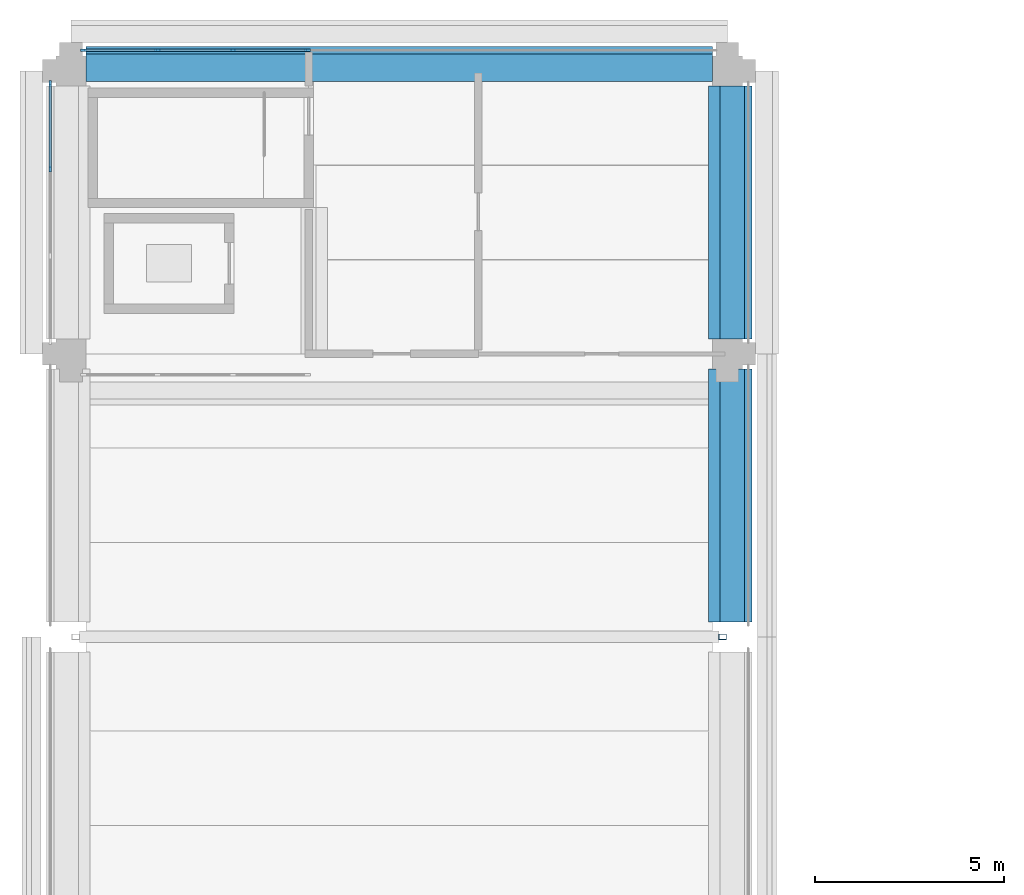
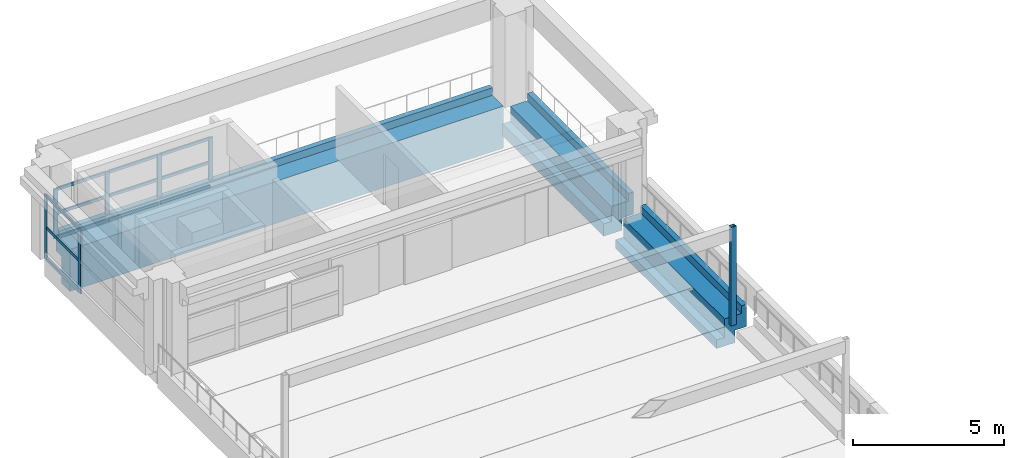
# One storey, part 22 of 62: 19 members, 3 beams, 2 elements without a shape of their own.
"""IFC4 building model written with IfcOpenShell, lengths in metres."""

from ifc_helpers import new_model, si_unit, direction, frame, origin, origin_2d, place, context, subcontext, project, spatial, polyline, rectangle, hollow_rectangle, outline, extrude, material, layer, layer_set, material_profile, profile_set, type_object, element, aggregate, save


model = new_model("IFC4")

# Units and contexts
model_context = context("Model", 3, precision=1e-05, world=origin(), true_north=direction((0.0, 1.0)))
body_context = subcontext(model_context, "Body", "Model", "MODEL_VIEW")
ifc_project = project(units=[si_unit("LENGTHUNIT", "METRE"), si_unit("AREAUNIT", "SQUARE_METRE"), si_unit("VOLUMEUNIT", "CUBIC_METRE"), si_unit("PLANEANGLEUNIT", "RADIAN"), si_unit("MASSUNIT", "GRAM", prefix="KILO")], contexts=[model_context])

# Site, building, storey
site_placement = place(None, origin())
site = spatial("IfcSite", under=ifc_project, at=site_placement, CompositionType="ELEMENT")
building_placement = place(site_placement, origin())
building = spatial("IfcBuilding", under=site, at=building_placement, Name="Cour d'Honneur Mobility Palace", CompositionType="ELEMENT")
storey_placement = place(building_placement, frame((0.0, 0.0, 19.300048828125)))
storey = spatial("IfcBuildingStorey", under=building, at=storey_placement, Name="L05", CompositionType="ELEMENT", Elevation=19.300048828125)

# Curtain wall, members
ifc_material_1 = material(Name="Aluminium and glass", Category="aluminium")
ifc_layer = layer(ifc_material_1, 0.10009765625)
ifc_layer_set = layer_set([ifc_layer], Name="Aluminium and glass")
curtain_wall_type = type_object("IfcCurtainWallType", Name="Curtain wall run", PredefinedType="NOTDEFINED", material=ifc_layer_set)
curtain_wall_1_placement = place(storey_placement, origin())
curtain_wall_1 = element("IfcCurtainWall", 1, at=curtain_wall_1_placement, inside=storey, type_object=curtain_wall_type, Name="Curtain wall CW-132", PredefinedType="NOTDEFINED")
ifc_material_2 = material(Name="Aluminium", Category="aluminium")
ifc_material_profile_1 = material_profile(ifc_material_2, rectangle(XDim=0.06005859375, YDim=0.159912109375, at=origin_2d()), Name="Curtain wall mullion")
ifc_profile_set_1 = profile_set([ifc_material_profile_1], Name="Aluminium")
member_type_1 = type_object("IfcMemberType", Name="Curtain wall mullion", PredefinedType="MULLION", material=ifc_profile_set_1)
member_1_placement = place(storey_placement, frame((6.27001953125, 115.449951171875, 0.0), z_axis=(0.0, 0.0, 1.0), x_axis=(0.0, -1.0, 0.0)))
member_1 = element("IfcMember", 2, at=member_1_placement, type_object=member_type_1, Name="CW-132 mullion 1", PredefinedType="MULLION", context=body_context, shape_type="SweptSolid", body=[
    extrude(rectangle(XDim=0.06005859375, YDim=0.159912109375, at=origin_2d()), origin(), (0.0, 0.0, 1.0), 2.0),
])
member_2_placement = place(storey_placement, frame((4.300048828125, 115.449951171875, 0.0), z_axis=(0.0, 0.0, 1.0), x_axis=(0.0, -1.0, 0.0)))
member_2 = element("IfcMember", 3, at=member_2_placement, type_object=member_type_1, Name="CW-132 mullion 2", PredefinedType="MULLION", context=body_context, shape_type="SweptSolid", body=[
    extrude(rectangle(XDim=0.06005859375, YDim=0.159912109375, at=origin_2d()), origin(), (0.0, 0.0, 1.0), 2.0),
])
member_3_placement = place(storey_placement, frame((2.300048828125, 115.449951171875, 0.0), z_axis=(0.0, 0.0, 1.0), x_axis=(0.0, -1.0, 0.0)))
member_3 = element("IfcMember", 4, at=member_3_placement, type_object=member_type_1, Name="CW-132 mullion 3", PredefinedType="MULLION", context=body_context, shape_type="SweptSolid", body=[
    extrude(rectangle(XDim=0.06005859375, YDim=0.159912109375, at=origin_2d()), origin(), (0.0, 0.0, 1.0), 2.0),
])
member_4_placement = place(storey_placement, frame((0.330078125, 115.449951171875, 0.0), z_axis=(0.0, 0.0, 1.0), x_axis=(0.0, -1.0, 0.0)))
member_4 = element("IfcMember", 5, at=member_4_placement, type_object=member_type_1, Name="CW-132 mullion 4", PredefinedType="MULLION", context=body_context, shape_type="SweptSolid", body=[
    extrude(rectangle(XDim=0.06005859375, YDim=0.159912109375, at=origin_2d()), origin(), (0.0, 0.0, 1.0), 2.0),
])

curtain_wall_2_placement = place(storey_placement, origin())
curtain_wall_2 = element("IfcCurtainWall", 6, at=curtain_wall_2_placement, inside=storey, type_object=curtain_wall_type, Name="Curtain wall CW-133", PredefinedType="NOTDEFINED")
member_5_placement = place(storey_placement, frame((-0.550048828125, 114.570068359375, 0.0), z_axis=(0.0, 0.0, 1.0), x_axis=(1.0, 0.0, 0.0)))
member_5 = element("IfcMember", 7, at=member_5_placement, type_object=member_type_1, Name="CW-133 mullion 1", PredefinedType="MULLION", context=body_context, shape_type="SweptSolid", body=[
    extrude(rectangle(XDim=0.06005859375, YDim=0.159912109375, at=origin_2d()), origin(), (0.0, 0.0, 1.0), 2.599853515625),
])
member_6_placement = place(storey_placement, frame((-0.550048828125, 112.300048828125, 0.0), z_axis=(0.0, 0.0, 1.0), x_axis=(1.0, 0.0, 0.0)))
member_6 = element("IfcMember", 8, at=member_6_placement, type_object=member_type_1, Name="CW-133 mullion 2", PredefinedType="MULLION", context=body_context, shape_type="SweptSolid", body=[
    extrude(rectangle(XDim=0.06005859375, YDim=0.159912109375, at=origin_2d()), origin(), (0.0, 0.0, 1.0), 2.599853515625),
])

# Member
ifc_material_3 = material(Name="Aluminium", Category="aluminium")
ifc_material_profile_2 = material_profile(ifc_material_3, rectangle(XDim=0.06005859375, YDim=0.1201171875, at=origin_2d()), Name="Curtain wall transom")
ifc_profile_set_2 = profile_set([ifc_material_profile_2], Name="Aluminium")
member_type_2 = type_object("IfcMemberType", Name="Curtain wall transom", PredefinedType="USERDEFINED", material=ifc_profile_set_2)
member_7_placement = place(storey_placement, frame((6.239990234375, 115.449951171875, 0.030029296875), z_axis=(-1.0, 0.0, 0.0), x_axis=(0.0, -1.0, 0.0)))
member_7 = element("IfcMember", 9, at=member_7_placement, type_object=member_type_2, Name="CW-132 transom 1.1", ObjectType="TRANSOM", PredefinedType="USERDEFINED", context=body_context, shape_type="SweptSolid", body=[
    extrude(rectangle(XDim=0.06005859375, YDim=0.1201171875, at=origin_2d()), origin(), (0.0, 0.0, 1.0), 1.909912109375),
])

member_8_placement = place(storey_placement, frame((6.239990234375, 115.449951171875, 1.0), z_axis=(-1.0, 0.0, 0.0), x_axis=(0.0, -1.0, 0.0)))
member_8 = element("IfcMember", 10, at=member_8_placement, type_object=member_type_2, Name="CW-132 transom 1.2", ObjectType="TRANSOM", PredefinedType="USERDEFINED", context=body_context, shape_type="SweptSolid", body=[
    extrude(rectangle(XDim=0.06005859375, YDim=0.1201171875, at=origin_2d()), origin(), (0.0, 0.0, 1.0), 1.909912109375),
])

member_9_placement = place(storey_placement, frame((6.239990234375, 115.449951171875, 1.969970703125), z_axis=(-1.0, 0.0, 0.0), x_axis=(0.0, -1.0, 0.0)))
member_9 = element("IfcMember", 11, at=member_9_placement, type_object=member_type_2, Name="CW-132 transom 1.3", ObjectType="TRANSOM", PredefinedType="USERDEFINED", context=body_context, shape_type="SweptSolid", body=[
    extrude(rectangle(XDim=0.06005859375, YDim=0.1201171875, at=origin_2d()), origin(), (0.0, 0.0, 1.0), 1.909912109375),
])

member_10_placement = place(storey_placement, frame((4.27001953125, 115.449951171875, 0.030029296875), z_axis=(-1.0, 0.0, 0.0), x_axis=(0.0, -1.0, 0.0)))
member_10 = element("IfcMember", 12, at=member_10_placement, type_object=member_type_2, Name="CW-132 transom 2.1", ObjectType="TRANSOM", PredefinedType="USERDEFINED", context=body_context, shape_type="SweptSolid", body=[
    extrude(rectangle(XDim=0.06005859375, YDim=0.1201171875, at=origin_2d()), origin(), (0.0, 0.0, 1.0), 1.93994140625),
])

member_11_placement = place(storey_placement, frame((4.27001953125, 115.449951171875, 1.0), z_axis=(-1.0, 0.0, 0.0), x_axis=(0.0, -1.0, 0.0)))
member_11 = element("IfcMember", 13, at=member_11_placement, type_object=member_type_2, Name="CW-132 transom 2.2", ObjectType="TRANSOM", PredefinedType="USERDEFINED", context=body_context, shape_type="SweptSolid", body=[
    extrude(rectangle(XDim=0.06005859375, YDim=0.1201171875, at=origin_2d()), origin(), (0.0, 0.0, 1.0), 1.93994140625),
])

member_12_placement = place(storey_placement, frame((4.27001953125, 115.449951171875, 1.969970703125), z_axis=(-1.0, 0.0, 0.0), x_axis=(0.0, -1.0, 0.0)))
member_12 = element("IfcMember", 14, at=member_12_placement, type_object=member_type_2, Name="CW-132 transom 2.3", ObjectType="TRANSOM", PredefinedType="USERDEFINED", context=body_context, shape_type="SweptSolid", body=[
    extrude(rectangle(XDim=0.06005859375, YDim=0.1201171875, at=origin_2d()), origin(), (0.0, 0.0, 1.0), 1.93994140625),
])

member_13_placement = place(storey_placement, frame((2.27001953125, 115.449951171875, 0.030029296875), z_axis=(-1.0, 0.0, 0.0), x_axis=(0.0, -1.0, 0.0)))
member_13 = element("IfcMember", 15, at=member_13_placement, type_object=member_type_2, Name="CW-132 transom 3.1", ObjectType="TRANSOM", PredefinedType="USERDEFINED", context=body_context, shape_type="SweptSolid", body=[
    extrude(rectangle(XDim=0.06005859375, YDim=0.1201171875, at=origin_2d()), origin(), (0.0, 0.0, 1.0), 1.909912109375),
])

member_14_placement = place(storey_placement, frame((2.27001953125, 115.449951171875, 1.0), z_axis=(-1.0, 0.0, 0.0), x_axis=(0.0, -1.0, 0.0)))
member_14 = element("IfcMember", 16, at=member_14_placement, type_object=member_type_2, Name="CW-132 transom 3.2", ObjectType="TRANSOM", PredefinedType="USERDEFINED", context=body_context, shape_type="SweptSolid", body=[
    extrude(rectangle(XDim=0.06005859375, YDim=0.1201171875, at=origin_2d()), origin(), (0.0, 0.0, 1.0), 1.909912109375),
])

member_15_placement = place(storey_placement, frame((2.27001953125, 115.449951171875, 1.969970703125), z_axis=(-1.0, 0.0, 0.0), x_axis=(0.0, -1.0, 0.0)))
member_15 = element("IfcMember", 17, at=member_15_placement, type_object=member_type_2, Name="CW-132 transom 3.3", ObjectType="TRANSOM", PredefinedType="USERDEFINED", context=body_context, shape_type="SweptSolid", body=[
    extrude(rectangle(XDim=0.06005859375, YDim=0.1201171875, at=origin_2d()), origin(), (0.0, 0.0, 1.0), 1.909912109375),
])

aggregate(curtain_wall_1, [member_1, member_2, member_3, member_4, member_7, member_8, member_9, member_10, member_11, member_12, member_13, member_14, member_15])

member_16_placement = place(storey_placement, frame((-0.550048828125, 114.5400390625, 0.030029296875), z_axis=(0.0, -1.0, 0.0), x_axis=(1.0, 0.0, 0.0)))
member_16 = element("IfcMember", 18, at=member_16_placement, type_object=member_type_2, Name="CW-133 transom 1.1", ObjectType="TRANSOM", PredefinedType="USERDEFINED", context=body_context, shape_type="SweptSolid", body=[
    extrude(rectangle(XDim=0.06005859375, YDim=0.1201171875, at=origin_2d()), origin(), (0.0, 0.0, 1.0), 2.2099609375),
])

member_17_placement = place(storey_placement, frame((-0.550048828125, 114.5400390625, 1.300048828125), z_axis=(0.0, -1.0, 0.0), x_axis=(1.0, 0.0, 0.0)))
member_17 = element("IfcMember", 19, at=member_17_placement, type_object=member_type_2, Name="CW-133 transom 1.2", ObjectType="TRANSOM", PredefinedType="USERDEFINED", context=body_context, shape_type="SweptSolid", body=[
    extrude(rectangle(XDim=0.06005859375, YDim=0.1201171875, at=origin_2d()), origin(), (0.0, 0.0, 1.0), 2.2099609375),
])

member_18_placement = place(storey_placement, frame((-0.550048828125, 114.5400390625, 2.570068359375), z_axis=(0.0, -1.0, 0.0), x_axis=(1.0, 0.0, 0.0)))
member_18 = element("IfcMember", 20, at=member_18_placement, type_object=member_type_2, Name="CW-133 transom 1.3", ObjectType="TRANSOM", PredefinedType="USERDEFINED", context=body_context, shape_type="SweptSolid", body=[
    extrude(rectangle(XDim=0.06005859375, YDim=0.1201171875, at=origin_2d()), origin(), (0.0, 0.0, 1.0), 2.2099609375),
])

aggregate(curtain_wall_2, [member_5, member_6, member_16, member_17, member_18])

# Beams
ifc_material_4 = material(Name="Concrete C45", Category="concrete")
ifc_material_profile_3 = material_profile(ifc_material_4, outline(polyline([(0.27490234375, -1.699951171875), (0.27490234375, -0.60009765625), (0.64990234375, -0.60009765625), (0.64990234375, 0.300048828125), (0.449951171875, 0.300048828125), (0.449951171875, 0.0), (0.27490234375, 0.0), (-0.27490234375, 0.0), (-0.27490234375, -1.699951171875), (0.27490234375, -1.699951171875)])), Name="Edge Spandrel Beam 550x1700 no ledge facade left")
ifc_profile_set_3 = profile_set([ifc_material_profile_3], Name="Concrete C45")
beam_type_1 = type_object("IfcBeamType", Name="Edge Spandrel Beam 550x1700 no ledge facade left", PredefinedType="SPANDREL", material=ifc_profile_set_3)
beam_1_placement = place(storey_placement, frame((0.39990234375, 114.89990234375, 0.0), z_axis=(1.0, 0.0, 0.0), x_axis=(0.0, 1.0, 0.0)))
element("IfcBeam", 21, at=beam_1_placement, inside=storey, type_object=beam_type_1, Name="Precast beam B7 1-2 L05", PredefinedType="SPANDREL", context=body_context, shape_type="SweptSolid", body=[
    extrude(outline(polyline([(0.27490234375, -1.699951171875), (0.27490234375, -0.60009765625), (0.64990234375, -0.60009765625), (0.64990234375, 0.300048828125), (0.449951171875, 0.300048828125), (0.449951171875, 0.0), (0.27490234375, 0.0), (-0.27490234375, 0.0), (-0.27490234375, -1.699951171875), (0.27490234375, -1.699951171875)])), origin(), (0.0, 0.0, 1.0), 16.60009765625),
])
ifc_material_5 = material(Name="Concrete C45", Category="concrete")
ifc_material_profile_4 = material_profile(ifc_material_5, outline(polyline([(0.5, -1.10009765625), (0.5, -0.75), (0.199951171875, -0.75), (0.199951171875, 0.0), (-0.199951171875, 0.0), (-0.449951171875, 0.0), (-0.449951171875, 0.300048828125), (-0.64990234375, 0.300048828125), (-0.64990234375, -0.60009765625), (-0.199951171875, -0.60009765625), (-0.199951171875, -1.10009765625), (0.5, -1.10009765625)])), Name="Ledger Beam 400x1100 ledge left 350 facade right")
ifc_profile_set_4 = profile_set([ifc_material_profile_4], Name="Concrete C45")
beam_type_2 = type_object("IfcBeamType", Name="Ledger Beam 400x1100 ledge left 350 facade right", PredefinedType="BEAM", material=ifc_profile_set_4)
beam_2_placement = place(storey_placement, frame((17.39990234375, 100.300048828125, 0.0), z_axis=(0.0, 1.0, 0.0), x_axis=(-1.0, 0.0, 0.0)))
element("IfcBeam", 22, at=beam_2_placement, inside=storey, type_object=beam_type_2, Name="Precast beam B2 N-P L05", PredefinedType="BEAM", context=body_context, shape_type="SweptSolid", body=[
    extrude(outline(polyline([(0.5, -1.10009765625), (0.5, -0.75), (0.199951171875, -0.75), (0.199951171875, 0.0), (-0.199951171875, 0.0), (-0.449951171875, 0.0), (-0.449951171875, 0.300048828125), (-0.64990234375, 0.300048828125), (-0.64990234375, -0.60009765625), (-0.199951171875, -0.60009765625), (-0.199951171875, -1.10009765625), (0.5, -1.10009765625)])), origin(), (0.0, 0.0, 1.0), 6.699951171875),
])
ifc_material_6 = material(Name="Concrete C45", Category="concrete")
ifc_material_profile_5 = material_profile(ifc_material_6, outline(polyline([(0.5, -1.10009765625), (0.5, -0.60009765625), (0.199951171875, -0.60009765625), (0.199951171875, 0.0), (-0.199951171875, 0.0), (-0.449951171875, 0.0), (-0.449951171875, 0.300048828125), (-0.64990234375, 0.300048828125), (-0.64990234375, -0.60009765625), (-0.199951171875, -0.60009765625), (-0.199951171875, -1.10009765625), (0.5, -1.10009765625)])), Name="Ledger Beam 400x1100 ledge left 500 facade right")
ifc_profile_set_5 = profile_set([ifc_material_profile_5], Name="Concrete C45")
beam_type_3 = type_object("IfcBeamType", Name="Ledger Beam 400x1100 ledge left 500 facade right", PredefinedType="BEAM", material=ifc_profile_set_5)
beam_3_placement = place(storey_placement, frame((17.39990234375, 107.800048828125, 0.0), z_axis=(0.0, 1.0, 0.0), x_axis=(-1.0, 0.0, 0.0)))
element("IfcBeam", 23, at=beam_3_placement, inside=storey, type_object=beam_type_3, Name="Precast beam B14 P-Q L05", PredefinedType="BEAM", context=body_context, shape_type="SweptSolid", body=[
    extrude(outline(polyline([(0.5, -1.10009765625), (0.5, -0.60009765625), (0.199951171875, -0.60009765625), (0.199951171875, 0.0), (-0.199951171875, 0.0), (-0.449951171875, 0.0), (-0.449951171875, 0.300048828125), (-0.64990234375, 0.300048828125), (-0.64990234375, -0.60009765625), (-0.199951171875, -0.60009765625), (-0.199951171875, -1.10009765625), (0.5, -1.10009765625)])), origin(), (0.0, 0.0, 1.0), 6.699951171875),
])

# Member
ifc_material_7 = material(Name="Steel S355", Category="steel")
ifc_material_profile_6 = material_profile(ifc_material_7, hollow_rectangle(XDim=0.14990234375, YDim=0.199951171875, WallThickness=0.008056640625, at=origin_2d()), Name="RHS 200x150x8")
ifc_profile_set_6 = profile_set([ifc_material_profile_6], Name="Steel S355")
member_type_3 = type_object("IfcMemberType", Name="Terrace post RHS 200x150x8", PredefinedType="POST", material=ifc_profile_set_6)
member_19_placement = place(storey_placement, frame((17.27490234375, 99.89990234375, 0.0), z_axis=(0.0, 0.0, 1.0), x_axis=(0.0, 1.0, 0.0)))
element("IfcMember", 24, at=member_19_placement, inside=storey, type_object=member_type_3, Name="Terrace post TP-C5E", PredefinedType="POST", context=body_context, shape_type="SweptSolid", body=[
    extrude(hollow_rectangle(XDim=0.14990234375, YDim=0.199951171875, WallThickness=0.008056640625, at=origin_2d()), origin(), (0.0, 0.0, 1.0), 4.0),
])

save(model, "model.ifc")
